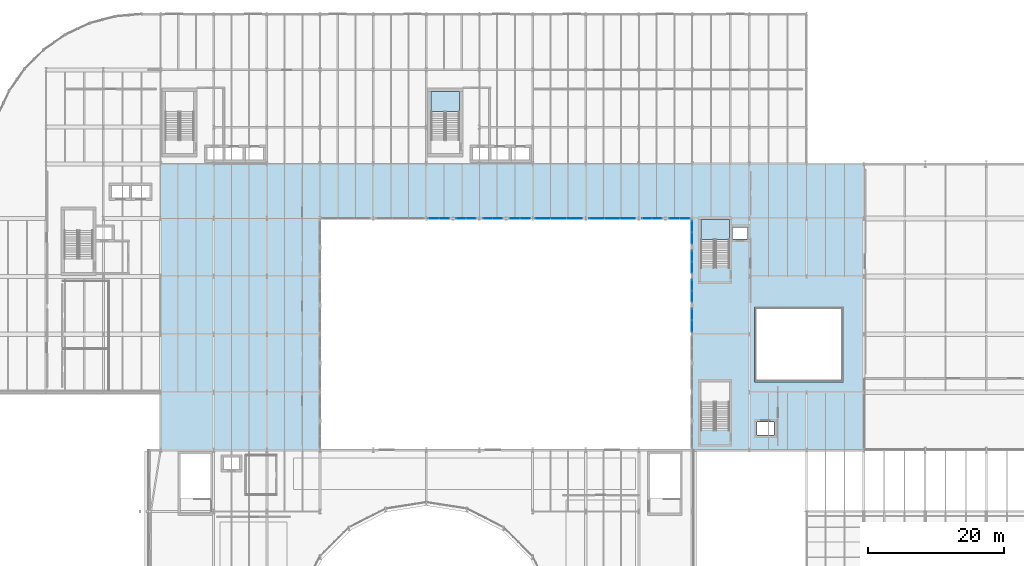
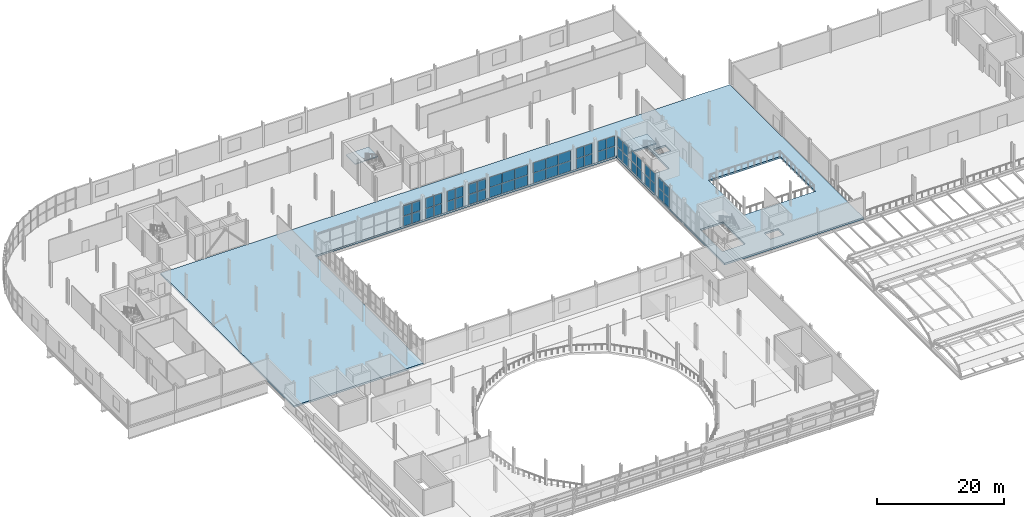
# One storey, part 39 of 63: 52 plates, 3 slabs, 14 elements without a shape of their own.
"""IFC4 building model written with IfcOpenShell, lengths in metres."""

from ifc_helpers import new_model, si_unit, direction, frame, origin, origin_2d, place, context, subcontext, project, spatial, polyline, rectangle, outline, extrude, material, layer, layer_set, type_object, element, aggregate, save


model = new_model("IFC4")

# Units and contexts
model_context = context("Model", 3, precision=1e-05, world=origin(), true_north=direction((0.0, 1.0)))
body_context = subcontext(model_context, "Body", "Model", "MODEL_VIEW")
ifc_project = project(units=[si_unit("LENGTHUNIT", "METRE"), si_unit("AREAUNIT", "SQUARE_METRE"), si_unit("VOLUMEUNIT", "CUBIC_METRE"), si_unit("PLANEANGLEUNIT", "RADIAN"), si_unit("MASSUNIT", "GRAM", prefix="KILO")], contexts=[model_context])

# Site, building, storey
site_placement = place(None, origin())
site = spatial("IfcSite", under=ifc_project, at=site_placement, CompositionType="ELEMENT")
building_placement = place(site_placement, origin())
building = spatial("IfcBuilding", under=site, at=building_placement, Name="Sefraquen Railside Congress Hotel", CompositionType="ELEMENT")
storey_placement = place(building_placement, frame((0.0, 0.0, 11.39990234375)))
storey = spatial("IfcBuildingStorey", under=building, at=storey_placement, Name="L02", CompositionType="ELEMENT", Elevation=11.39990234375)

# Curtain wall, plates
ifc_material_1 = material(Name="Thermally broken anodised aluminium and low-E double glazing", Category="aluminium")
ifc_layer_1 = layer(ifc_material_1, 0.199951171875)
ifc_layer_set_1 = layer_set([ifc_layer_1], Name="Thermally broken anodised aluminium and low-E double glazing")
curtain_wall_type_1 = type_object("IfcCurtainWallType", Name="TCW-UCW-26", PredefinedType="USERDEFINED", material=ifc_layer_set_1)
curtain_wall_1_placement = place(storey_placement, origin())
curtain_wall_1 = element("IfcCurtainWall", 1, at=curtain_wall_1_placement, inside=storey, type_object=curtain_wall_type_1, Name="Courtyard north gallery curtain wall L02-2", ObjectType="UNITISED CURTAIN WALL", PredefinedType="USERDEFINED")
ifc_material_2 = material(Name="Solar-control low-E double glazing", Category="glass")
ifc_layer_2 = layer(ifc_material_2, 0.02392578125)
ifc_layer_set_2 = layer_set([ifc_layer_2], Name="Solar-control low-E double glazing")
plate_type_1 = type_object("IfcPlateType", Name="TP-CWP-01", PredefinedType="CURTAIN_PANEL", material=ifc_layer_set_2)
plate_1_placement = place(storey_placement, frame((65.28759765625, 88.0, 0.0400390625), z_axis=(0.0, 0.0, 1.0), x_axis=(1.0, 0.0, 0.0)))
plate_1 = element("IfcPlate", 2, at=plate_1_placement, type_object=plate_type_1, Name="CW-L02-058 panel 1.1", PredefinedType="CURTAIN_PANEL", context=body_context, shape_type="SweptSolid", body=[
    extrude(rectangle(XDim=1.465087890625, YDim=0.02392578125, at=origin_2d()), origin(), (0.0, 0.0, 1.0), 1.9150390625),
])
plate_2_placement = place(storey_placement, frame((66.842529296875, 88.0, 0.0400390625), z_axis=(0.0, 0.0, 1.0), x_axis=(1.0, 0.0, 0.0)))
plate_2 = element("IfcPlate", 3, at=plate_2_placement, type_object=plate_type_1, Name="CW-L02-058 panel 1.2", PredefinedType="CURTAIN_PANEL", context=body_context, shape_type="SweptSolid", body=[
    extrude(rectangle(XDim=1.465087890625, YDim=0.02392578125, at=origin_2d()), origin(), (0.0, 0.0, 1.0), 1.9150390625),
])

curtain_wall_2_placement = place(storey_placement, origin())
curtain_wall_2 = element("IfcCurtainWall", 4, at=curtain_wall_2_placement, inside=storey, type_object=curtain_wall_type_1, Name="Courtyard north gallery curtain wall L02-2 bay 2", ObjectType="UNITISED CURTAIN WALL", PredefinedType="USERDEFINED")
plate_3_placement = place(storey_placement, frame((69.31494140625, 88.0, 0.0400390625), z_axis=(0.0, 0.0, 1.0), x_axis=(1.0, 0.0, 0.0)))
plate_3 = element("IfcPlate", 5, at=plate_3_placement, type_object=plate_type_1, Name="CW-L02-058-S2 panel 1.1", PredefinedType="CURTAIN_PANEL", context=body_context, shape_type="SweptSolid", body=[
    extrude(rectangle(XDim=1.3798828125, YDim=0.02392578125, at=origin_2d()), origin(), (0.0, 0.0, 1.0), 1.9150390625),
])
plate_4_placement = place(storey_placement, frame((70.784912109375, 88.0, 0.0400390625), z_axis=(0.0, 0.0, 1.0), x_axis=(1.0, 0.0, 0.0)))
plate_4 = element("IfcPlate", 6, at=plate_4_placement, type_object=plate_type_1, Name="CW-L02-058-S2 panel 1.2", PredefinedType="CURTAIN_PANEL", context=body_context, shape_type="SweptSolid", body=[
    extrude(rectangle(XDim=1.3798828125, YDim=0.02392578125, at=origin_2d()), origin(), (0.0, 0.0, 1.0), 1.9150390625),
])

curtain_wall_3_placement = place(storey_placement, origin())
curtain_wall_3 = element("IfcCurtainWall", 7, at=curtain_wall_3_placement, inside=storey, type_object=curtain_wall_type_1, Name="Courtyard north gallery curtain wall L02-2 bay 3", ObjectType="UNITISED CURTAIN WALL", PredefinedType="USERDEFINED")
plate_5_placement = place(storey_placement, frame((73.215087890625, 88.0, 0.0400390625), z_axis=(0.0, 0.0, 1.0), x_axis=(1.0, 0.0, 0.0)))
plate_5 = element("IfcPlate", 8, at=plate_5_placement, type_object=plate_type_1, Name="CW-L02-058-S3 panel 1.1", PredefinedType="CURTAIN_PANEL", context=body_context, shape_type="SweptSolid", body=[
    extrude(rectangle(XDim=1.3798828125, YDim=0.02392578125, at=origin_2d()), origin(), (0.0, 0.0, 1.0), 1.9150390625),
])
plate_6_placement = place(storey_placement, frame((74.68505859375, 88.0, 0.0400390625), z_axis=(0.0, 0.0, 1.0), x_axis=(1.0, 0.0, 0.0)))
plate_6 = element("IfcPlate", 9, at=plate_6_placement, type_object=plate_type_1, Name="CW-L02-058-S3 panel 1.2", PredefinedType="CURTAIN_PANEL", context=body_context, shape_type="SweptSolid", body=[
    extrude(rectangle(XDim=1.3798828125, YDim=0.02392578125, at=origin_2d()), origin(), (0.0, 0.0, 1.0), 1.9150390625),
])

curtain_wall_4_placement = place(storey_placement, origin())
curtain_wall_4 = element("IfcCurtainWall", 10, at=curtain_wall_4_placement, inside=storey, type_object=curtain_wall_type_1, Name="Courtyard north gallery curtain wall L02-2 bay 4", ObjectType="UNITISED CURTAIN WALL", PredefinedType="USERDEFINED")
plate_7_placement = place(storey_placement, frame((77.157470703125, 88.0, 0.0400390625), z_axis=(0.0, 0.0, 1.0), x_axis=(1.0, 0.0, 0.0)))
plate_7 = element("IfcPlate", 11, at=plate_7_placement, type_object=plate_type_1, Name="CW-L02-058-S4 panel 1.1", PredefinedType="CURTAIN_PANEL", context=body_context, shape_type="SweptSolid", body=[
    extrude(rectangle(XDim=1.465087890625, YDim=0.02392578125, at=origin_2d()), origin(), (0.0, 0.0, 1.0), 1.9150390625),
])
plate_8_placement = place(storey_placement, frame((78.71240234375, 88.0, 0.0400390625), z_axis=(0.0, 0.0, 1.0), x_axis=(1.0, 0.0, 0.0)))
plate_8 = element("IfcPlate", 12, at=plate_8_placement, type_object=plate_type_1, Name="CW-L02-058-S4 panel 1.2", PredefinedType="CURTAIN_PANEL", context=body_context, shape_type="SweptSolid", body=[
    extrude(rectangle(XDim=1.465087890625, YDim=0.02392578125, at=origin_2d()), origin(), (0.0, 0.0, 1.0), 1.9150390625),
])

ifc_layer_3 = layer(ifc_material_1, 0.199951171875)
ifc_layer_set_3 = layer_set([ifc_layer_3], Name="Thermally broken anodised aluminium and low-E double glazing")
curtain_wall_type_2 = type_object("IfcCurtainWallType", Name="TCW-UCW-27", PredefinedType="USERDEFINED", material=ifc_layer_set_3)
curtain_wall_5_placement = place(storey_placement, origin())
curtain_wall_5 = element("IfcCurtainWall", 13, at=curtain_wall_5_placement, inside=storey, type_object=curtain_wall_type_2, Name="Courtyard north gallery curtain wall L02-3", ObjectType="UNITISED CURTAIN WALL", PredefinedType="USERDEFINED")
plate_9_placement = place(storey_placement, frame((81.2783203125, 88.0, 0.0400390625), z_axis=(0.0, 0.0, 1.0), x_axis=(1.0, 0.0, 0.0)))
plate_9 = element("IfcPlate", 14, at=plate_9_placement, type_object=plate_type_1, Name="CW-L02-059 panel 1.1", PredefinedType="CURTAIN_PANEL", context=body_context, shape_type="SweptSolid", body=[
    extrude(rectangle(XDim=2.24658203125, YDim=0.02392578125, at=origin_2d()), origin(), (0.0, 0.0, 1.0), 1.9150390625),
])
plate_10_placement = place(storey_placement, frame((83.614990234375, 88.0, 0.0400390625), z_axis=(0.0, 0.0, 1.0), x_axis=(1.0, 0.0, 0.0)))
plate_10 = element("IfcPlate", 15, at=plate_10_placement, type_object=plate_type_1, Name="CW-L02-059 panel 1.2", PredefinedType="CURTAIN_PANEL", context=body_context, shape_type="SweptSolid", body=[
    extrude(rectangle(XDim=2.24658203125, YDim=0.02392578125, at=origin_2d()), origin(), (0.0, 0.0, 1.0), 1.9150390625),
])
plate_11_placement = place(storey_placement, frame((85.95166015625, 88.0, 0.0400390625), z_axis=(0.0, 0.0, 1.0), x_axis=(1.0, 0.0, 0.0)))
plate_11 = element("IfcPlate", 16, at=plate_11_placement, type_object=plate_type_1, Name="CW-L02-059 panel 1.3", PredefinedType="CURTAIN_PANEL", context=body_context, shape_type="SweptSolid", body=[
    extrude(rectangle(XDim=2.24658203125, YDim=0.02392578125, at=origin_2d()), origin(), (0.0, 0.0, 1.0), 1.9150390625),
])

curtain_wall_6_placement = place(storey_placement, origin())
curtain_wall_6 = element("IfcCurtainWall", 17, at=curtain_wall_6_placement, inside=storey, type_object=curtain_wall_type_2, Name="Courtyard north gallery curtain wall L02-3 bay 2", ObjectType="UNITISED CURTAIN WALL", PredefinedType="USERDEFINED")
plate_12_placement = place(storey_placement, frame((89.219970703125, 88.0, 0.0400390625), z_axis=(0.0, 0.0, 1.0), x_axis=(1.0, 0.0, 0.0)))
plate_12 = element("IfcPlate", 18, at=plate_12_placement, type_object=plate_type_1, Name="CW-L02-059-S2 panel 1.1", PredefinedType="CURTAIN_PANEL", context=body_context, shape_type="SweptSolid", body=[
    extrude(rectangle(XDim=2.18994140625, YDim=0.02392578125, at=origin_2d()), origin(), (0.0, 0.0, 1.0), 1.9150390625),
])
plate_13_placement = place(storey_placement, frame((91.5, 88.0, 0.0400390625), z_axis=(0.0, 0.0, 1.0), x_axis=(1.0, 0.0, 0.0)))
plate_13 = element("IfcPlate", 19, at=plate_13_placement, type_object=plate_type_1, Name="CW-L02-059-S2 panel 1.2", PredefinedType="CURTAIN_PANEL", context=body_context, shape_type="SweptSolid", body=[
    extrude(rectangle(XDim=2.18994140625, YDim=0.02392578125, at=origin_2d()), origin(), (0.0, 0.0, 1.0), 1.9150390625),
])
plate_14_placement = place(storey_placement, frame((93.780029296875, 88.0, 0.0400390625), z_axis=(0.0, 0.0, 1.0), x_axis=(1.0, 0.0, 0.0)))
plate_14 = element("IfcPlate", 20, at=plate_14_placement, type_object=plate_type_1, Name="CW-L02-059-S2 panel 1.3", PredefinedType="CURTAIN_PANEL", context=body_context, shape_type="SweptSolid", body=[
    extrude(rectangle(XDim=2.18994140625, YDim=0.02392578125, at=origin_2d()), origin(), (0.0, 0.0, 1.0), 1.9150390625),
])

curtain_wall_7_placement = place(storey_placement, origin())
curtain_wall_7 = element("IfcCurtainWall", 21, at=curtain_wall_7_placement, inside=storey, type_object=curtain_wall_type_2, Name="Courtyard north gallery curtain wall L02-3 bay 3", ObjectType="UNITISED CURTAIN WALL", PredefinedType="USERDEFINED")
plate_15_placement = place(storey_placement, frame((96.614990234375, 88.0, 0.0400390625), z_axis=(0.0, 0.0, 1.0), x_axis=(1.0, 0.0, 0.0)))
plate_15 = element("IfcPlate", 22, at=plate_15_placement, type_object=plate_type_1, Name="CW-L02-059-S3 panel 1.1", PredefinedType="CURTAIN_PANEL", context=body_context, shape_type="SweptSolid", body=[
    extrude(rectangle(XDim=1.3798828125, YDim=0.02392578125, at=origin_2d()), origin(), (0.0, 0.0, 1.0), 1.9150390625),
])
plate_16_placement = place(storey_placement, frame((98.0849609375, 88.0, 0.0400390625), z_axis=(0.0, 0.0, 1.0), x_axis=(1.0, 0.0, 0.0)))
plate_16 = element("IfcPlate", 23, at=plate_16_placement, type_object=plate_type_1, Name="CW-L02-059-S3 panel 1.2", PredefinedType="CURTAIN_PANEL", context=body_context, shape_type="SweptSolid", body=[
    extrude(rectangle(XDim=1.3798828125, YDim=0.02392578125, at=origin_2d()), origin(), (0.0, 0.0, 1.0), 1.9150390625),
])

curtain_wall_8_placement = place(storey_placement, origin())
curtain_wall_8 = element("IfcCurtainWall", 24, at=curtain_wall_8_placement, inside=storey, type_object=curtain_wall_type_2, Name="Courtyard north gallery curtain wall L02-3 bay 4", ObjectType="UNITISED CURTAIN WALL", PredefinedType="USERDEFINED")
plate_17_placement = place(storey_placement, frame((100.5576171875, 88.0, 0.0400390625), z_axis=(0.0, 0.0, 1.0), x_axis=(1.0, 0.0, 0.0)))
plate_17 = element("IfcPlate", 25, at=plate_17_placement, type_object=plate_type_1, Name="CW-L02-059-S4 panel 1.1", PredefinedType="CURTAIN_PANEL", context=body_context, shape_type="SweptSolid", body=[
    extrude(rectangle(XDim=1.465087890625, YDim=0.02392578125, at=origin_2d()), origin(), (0.0, 0.0, 1.0), 1.9150390625),
])
plate_18_placement = place(storey_placement, frame((102.112548828125, 88.0, 0.0400390625), z_axis=(0.0, 0.0, 1.0), x_axis=(1.0, 0.0, 0.0)))
plate_18 = element("IfcPlate", 26, at=plate_18_placement, type_object=plate_type_1, Name="CW-L02-059-S4 panel 1.2", PredefinedType="CURTAIN_PANEL", context=body_context, shape_type="SweptSolid", body=[
    extrude(rectangle(XDim=1.465087890625, YDim=0.02392578125, at=origin_2d()), origin(), (0.0, 0.0, 1.0), 1.9150390625),
])

ifc_layer_4 = layer(ifc_material_1, 0.199951171875)
ifc_layer_set_4 = layer_set([ifc_layer_4], Name="Thermally broken anodised aluminium and low-E double glazing")
curtain_wall_type_3 = type_object("IfcCurtainWallType", Name="TCW-UCW-31", PredefinedType="USERDEFINED", material=ifc_layer_set_4)
curtain_wall_9_placement = place(storey_placement, origin())
curtain_wall_9 = element("IfcCurtainWall", 27, at=curtain_wall_9_placement, inside=storey, type_object=curtain_wall_type_3, Name="Courtyard east gallery curtain wall L02", ObjectType="UNITISED CURTAIN WALL", PredefinedType="USERDEFINED")
plate_19_placement = place(storey_placement, frame((103.199951171875, 72.175048828125, 0.0400390625), z_axis=(0.0, 0.0, 1.0), x_axis=(0.0, 1.0, 0.0)))
plate_19 = element("IfcPlate", 28, at=plate_19_placement, type_object=plate_type_1, Name="CW-L02-063 panel 1.1", PredefinedType="CURTAIN_PANEL", context=body_context, shape_type="SweptSolid", body=[
    extrude(rectangle(XDim=1.639892578125, YDim=0.02392578125, at=origin_2d()), origin(), (0.0, 0.0, 1.0), 1.9150390625),
])
plate_20_placement = place(storey_placement, frame((103.199951171875, 73.905029296875, 0.0400390625), z_axis=(0.0, 0.0, 1.0), x_axis=(0.0, 1.0, 0.0)))
plate_20 = element("IfcPlate", 29, at=plate_20_placement, type_object=plate_type_1, Name="CW-L02-063 panel 1.2", PredefinedType="CURTAIN_PANEL", context=body_context, shape_type="SweptSolid", body=[
    extrude(rectangle(XDim=1.639892578125, YDim=0.02392578125, at=origin_2d()), origin(), (0.0, 0.0, 1.0), 1.9150390625),
])

curtain_wall_10_placement = place(storey_placement, origin())
curtain_wall_10 = element("IfcCurtainWall", 30, at=curtain_wall_10_placement, inside=storey, type_object=curtain_wall_type_3, Name="Courtyard east gallery curtain wall L02 bay 2", ObjectType="UNITISED CURTAIN WALL", PredefinedType="USERDEFINED")
plate_21_placement = place(storey_placement, frame((103.199951171875, 76.552490234375, 0.0400390625), z_axis=(0.0, 0.0, 1.0), x_axis=(0.0, 1.0, 0.0)))
plate_21 = element("IfcPlate", 31, at=plate_21_placement, type_object=plate_type_1, Name="CW-L02-063-S2 panel 1.1", PredefinedType="CURTAIN_PANEL", context=body_context, shape_type="SweptSolid", body=[
    extrude(rectangle(XDim=1.554931640625, YDim=0.02392578125, at=origin_2d()), origin(), (0.0, 0.0, 1.0), 1.9150390625),
])
plate_22_placement = place(storey_placement, frame((103.199951171875, 78.197509765625, 0.0400390625), z_axis=(0.0, 0.0, 1.0), x_axis=(0.0, 1.0, 0.0)))
plate_22 = element("IfcPlate", 32, at=plate_22_placement, type_object=plate_type_1, Name="CW-L02-063-S2 panel 1.2", PredefinedType="CURTAIN_PANEL", context=body_context, shape_type="SweptSolid", body=[
    extrude(rectangle(XDim=1.554931640625, YDim=0.02392578125, at=origin_2d()), origin(), (0.0, 0.0, 1.0), 1.9150390625),
])

curtain_wall_11_placement = place(storey_placement, origin())
curtain_wall_11 = element("IfcCurtainWall", 33, at=curtain_wall_11_placement, inside=storey, type_object=curtain_wall_type_3, Name="Courtyard east gallery curtain wall L02 bay 3", ObjectType="UNITISED CURTAIN WALL", PredefinedType="USERDEFINED")
plate_23_placement = place(storey_placement, frame((103.199951171875, 80.802490234375, 0.0400390625), z_axis=(0.0, 0.0, 1.0), x_axis=(0.0, 1.0, 0.0)))
plate_23 = element("IfcPlate", 34, at=plate_23_placement, type_object=plate_type_1, Name="CW-L02-063-S3 panel 1.1", PredefinedType="CURTAIN_PANEL", context=body_context, shape_type="SweptSolid", body=[
    extrude(rectangle(XDim=1.554931640625, YDim=0.02392578125, at=origin_2d()), origin(), (0.0, 0.0, 1.0), 1.9150390625),
])
plate_24_placement = place(storey_placement, frame((103.199951171875, 82.447509765625, 0.0400390625), z_axis=(0.0, 0.0, 1.0), x_axis=(0.0, 1.0, 0.0)))
plate_24 = element("IfcPlate", 35, at=plate_24_placement, type_object=plate_type_1, Name="CW-L02-063-S3 panel 1.2", PredefinedType="CURTAIN_PANEL", context=body_context, shape_type="SweptSolid", body=[
    extrude(rectangle(XDim=1.554931640625, YDim=0.02392578125, at=origin_2d()), origin(), (0.0, 0.0, 1.0), 1.9150390625),
])

curtain_wall_12_placement = place(storey_placement, origin())
curtain_wall_12 = element("IfcCurtainWall", 36, at=curtain_wall_12_placement, inside=storey, type_object=curtain_wall_type_3, Name="Courtyard east gallery curtain wall L02 bay 4", ObjectType="UNITISED CURTAIN WALL", PredefinedType="USERDEFINED")
plate_25_placement = place(storey_placement, frame((103.199951171875, 85.094970703125, 0.0400390625), z_axis=(0.0, 0.0, 1.0), x_axis=(0.0, 1.0, 0.0)))
plate_25 = element("IfcPlate", 37, at=plate_25_placement, type_object=plate_type_1, Name="CW-L02-063-S4 panel 1.1", PredefinedType="CURTAIN_PANEL", context=body_context, shape_type="SweptSolid", body=[
    extrude(rectangle(XDim=1.639892578125, YDim=0.02392578125, at=origin_2d()), origin(), (0.0, 0.0, 1.0), 1.9150390625),
])
plate_26_placement = place(storey_placement, frame((103.199951171875, 86.824951171875, 0.0400390625), z_axis=(0.0, 0.0, 1.0), x_axis=(0.0, 1.0, 0.0)))
plate_26 = element("IfcPlate", 38, at=plate_26_placement, type_object=plate_type_1, Name="CW-L02-063-S4 panel 1.2", PredefinedType="CURTAIN_PANEL", context=body_context, shape_type="SweptSolid", body=[
    extrude(rectangle(XDim=1.639892578125, YDim=0.02392578125, at=origin_2d()), origin(), (0.0, 0.0, 1.0), 1.9150390625),
])

# Plate
ifc_material_3 = material(Name="Triple acoustic solar-control glazing", Category="glass")
ifc_layer_5 = layer(ifc_material_3, 0.031982421875)
ifc_layer_set_5 = layer_set([ifc_layer_5], Name="Triple acoustic solar-control glazing")
plate_type_2 = type_object("IfcPlateType", Name="TP-CWP-02", PredefinedType="CURTAIN_PANEL", material=ifc_layer_set_5)
plate_27_placement = place(storey_placement, frame((65.28759765625, 88.0, 2.03515625), z_axis=(0.0, 0.0, 1.0), x_axis=(1.0, 0.0, 0.0)))
plate_27 = element("IfcPlate", 39, at=plate_27_placement, type_object=plate_type_2, Name="CW-L02-058 panel 2.1", PredefinedType="CURTAIN_PANEL", context=body_context, shape_type="SweptSolid", body=[
    extrude(rectangle(XDim=1.465087890625, YDim=0.031982421875, at=origin_2d()), origin(), (0.0, 0.0, 1.0), 1.9150390625),
])

plate_28_placement = place(storey_placement, frame((66.842529296875, 88.0, 2.03515625), z_axis=(0.0, 0.0, 1.0), x_axis=(1.0, 0.0, 0.0)))
plate_28 = element("IfcPlate", 40, at=plate_28_placement, type_object=plate_type_2, Name="CW-L02-058 panel 2.2", PredefinedType="CURTAIN_PANEL", context=body_context, shape_type="SweptSolid", body=[
    extrude(rectangle(XDim=1.465087890625, YDim=0.031982421875, at=origin_2d()), origin(), (0.0, 0.0, 1.0), 1.9150390625),
])

aggregate(curtain_wall_1, [plate_1, plate_2, plate_27, plate_28])

plate_29_placement = place(storey_placement, frame((69.31494140625, 88.0, 2.03515625), z_axis=(0.0, 0.0, 1.0), x_axis=(1.0, 0.0, 0.0)))
plate_29 = element("IfcPlate", 41, at=plate_29_placement, type_object=plate_type_2, Name="CW-L02-058-S2 panel 2.1", PredefinedType="CURTAIN_PANEL", context=body_context, shape_type="SweptSolid", body=[
    extrude(rectangle(XDim=1.3798828125, YDim=0.031982421875, at=origin_2d()), origin(), (0.0, 0.0, 1.0), 1.9150390625),
])

plate_30_placement = place(storey_placement, frame((70.784912109375, 88.0, 2.03515625), z_axis=(0.0, 0.0, 1.0), x_axis=(1.0, 0.0, 0.0)))
plate_30 = element("IfcPlate", 42, at=plate_30_placement, type_object=plate_type_2, Name="CW-L02-058-S2 panel 2.2", PredefinedType="CURTAIN_PANEL", context=body_context, shape_type="SweptSolid", body=[
    extrude(rectangle(XDim=1.3798828125, YDim=0.031982421875, at=origin_2d()), origin(), (0.0, 0.0, 1.0), 1.9150390625),
])

aggregate(curtain_wall_2, [plate_3, plate_4, plate_29, plate_30])

plate_31_placement = place(storey_placement, frame((73.215087890625, 88.0, 2.03515625), z_axis=(0.0, 0.0, 1.0), x_axis=(1.0, 0.0, 0.0)))
plate_31 = element("IfcPlate", 43, at=plate_31_placement, type_object=plate_type_2, Name="CW-L02-058-S3 panel 2.1", PredefinedType="CURTAIN_PANEL", context=body_context, shape_type="SweptSolid", body=[
    extrude(rectangle(XDim=1.3798828125, YDim=0.031982421875, at=origin_2d()), origin(), (0.0, 0.0, 1.0), 1.9150390625),
])

plate_32_placement = place(storey_placement, frame((74.68505859375, 88.0, 2.03515625), z_axis=(0.0, 0.0, 1.0), x_axis=(1.0, 0.0, 0.0)))
plate_32 = element("IfcPlate", 44, at=plate_32_placement, type_object=plate_type_2, Name="CW-L02-058-S3 panel 2.2", PredefinedType="CURTAIN_PANEL", context=body_context, shape_type="SweptSolid", body=[
    extrude(rectangle(XDim=1.3798828125, YDim=0.031982421875, at=origin_2d()), origin(), (0.0, 0.0, 1.0), 1.9150390625),
])

aggregate(curtain_wall_3, [plate_5, plate_6, plate_31, plate_32])

plate_33_placement = place(storey_placement, frame((77.157470703125, 88.0, 2.03515625), z_axis=(0.0, 0.0, 1.0), x_axis=(1.0, 0.0, 0.0)))
plate_33 = element("IfcPlate", 45, at=plate_33_placement, type_object=plate_type_2, Name="CW-L02-058-S4 panel 2.1", PredefinedType="CURTAIN_PANEL", context=body_context, shape_type="SweptSolid", body=[
    extrude(rectangle(XDim=1.465087890625, YDim=0.031982421875, at=origin_2d()), origin(), (0.0, 0.0, 1.0), 1.9150390625),
])

plate_34_placement = place(storey_placement, frame((78.71240234375, 88.0, 2.03515625), z_axis=(0.0, 0.0, 1.0), x_axis=(1.0, 0.0, 0.0)))
plate_34 = element("IfcPlate", 46, at=plate_34_placement, type_object=plate_type_2, Name="CW-L02-058-S4 panel 2.2", PredefinedType="CURTAIN_PANEL", context=body_context, shape_type="SweptSolid", body=[
    extrude(rectangle(XDim=1.465087890625, YDim=0.031982421875, at=origin_2d()), origin(), (0.0, 0.0, 1.0), 1.9150390625),
])

aggregate(curtain_wall_4, [plate_7, plate_8, plate_33, plate_34])

plate_35_placement = place(storey_placement, frame((81.2783203125, 88.0, 2.03515625), z_axis=(0.0, 0.0, 1.0), x_axis=(1.0, 0.0, 0.0)))
plate_35 = element("IfcPlate", 47, at=plate_35_placement, type_object=plate_type_2, Name="CW-L02-059 panel 2.1", PredefinedType="CURTAIN_PANEL", context=body_context, shape_type="SweptSolid", body=[
    extrude(rectangle(XDim=2.24658203125, YDim=0.031982421875, at=origin_2d()), origin(), (0.0, 0.0, 1.0), 1.9150390625),
])

plate_36_placement = place(storey_placement, frame((83.614990234375, 88.0, 2.03515625), z_axis=(0.0, 0.0, 1.0), x_axis=(1.0, 0.0, 0.0)))
plate_36 = element("IfcPlate", 48, at=plate_36_placement, type_object=plate_type_2, Name="CW-L02-059 panel 2.2", PredefinedType="CURTAIN_PANEL", context=body_context, shape_type="SweptSolid", body=[
    extrude(rectangle(XDim=2.24658203125, YDim=0.031982421875, at=origin_2d()), origin(), (0.0, 0.0, 1.0), 1.9150390625),
])

plate_37_placement = place(storey_placement, frame((85.95166015625, 88.0, 2.03515625), z_axis=(0.0, 0.0, 1.0), x_axis=(1.0, 0.0, 0.0)))
plate_37 = element("IfcPlate", 49, at=plate_37_placement, type_object=plate_type_2, Name="CW-L02-059 panel 2.3", PredefinedType="CURTAIN_PANEL", context=body_context, shape_type="SweptSolid", body=[
    extrude(rectangle(XDim=2.24658203125, YDim=0.031982421875, at=origin_2d()), origin(), (0.0, 0.0, 1.0), 1.9150390625),
])

aggregate(curtain_wall_5, [plate_9, plate_10, plate_11, plate_35, plate_36, plate_37])

plate_38_placement = place(storey_placement, frame((89.219970703125, 88.0, 2.03515625), z_axis=(0.0, 0.0, 1.0), x_axis=(1.0, 0.0, 0.0)))
plate_38 = element("IfcPlate", 50, at=plate_38_placement, type_object=plate_type_2, Name="CW-L02-059-S2 panel 2.1", PredefinedType="CURTAIN_PANEL", context=body_context, shape_type="SweptSolid", body=[
    extrude(rectangle(XDim=2.18994140625, YDim=0.031982421875, at=origin_2d()), origin(), (0.0, 0.0, 1.0), 1.9150390625),
])

plate_39_placement = place(storey_placement, frame((91.5, 88.0, 2.03515625), z_axis=(0.0, 0.0, 1.0), x_axis=(1.0, 0.0, 0.0)))
plate_39 = element("IfcPlate", 51, at=plate_39_placement, type_object=plate_type_2, Name="CW-L02-059-S2 panel 2.2", PredefinedType="CURTAIN_PANEL", context=body_context, shape_type="SweptSolid", body=[
    extrude(rectangle(XDim=2.18994140625, YDim=0.031982421875, at=origin_2d()), origin(), (0.0, 0.0, 1.0), 1.9150390625),
])

plate_40_placement = place(storey_placement, frame((93.780029296875, 88.0, 2.03515625), z_axis=(0.0, 0.0, 1.0), x_axis=(1.0, 0.0, 0.0)))
plate_40 = element("IfcPlate", 52, at=plate_40_placement, type_object=plate_type_2, Name="CW-L02-059-S2 panel 2.3", PredefinedType="CURTAIN_PANEL", context=body_context, shape_type="SweptSolid", body=[
    extrude(rectangle(XDim=2.18994140625, YDim=0.031982421875, at=origin_2d()), origin(), (0.0, 0.0, 1.0), 1.9150390625),
])

aggregate(curtain_wall_6, [plate_12, plate_13, plate_14, plate_38, plate_39, plate_40])

plate_41_placement = place(storey_placement, frame((96.614990234375, 88.0, 2.03515625), z_axis=(0.0, 0.0, 1.0), x_axis=(1.0, 0.0, 0.0)))
plate_41 = element("IfcPlate", 53, at=plate_41_placement, type_object=plate_type_2, Name="CW-L02-059-S3 panel 2.1", PredefinedType="CURTAIN_PANEL", context=body_context, shape_type="SweptSolid", body=[
    extrude(rectangle(XDim=1.3798828125, YDim=0.031982421875, at=origin_2d()), origin(), (0.0, 0.0, 1.0), 1.9150390625),
])

plate_42_placement = place(storey_placement, frame((98.0849609375, 88.0, 2.03515625), z_axis=(0.0, 0.0, 1.0), x_axis=(1.0, 0.0, 0.0)))
plate_42 = element("IfcPlate", 54, at=plate_42_placement, type_object=plate_type_2, Name="CW-L02-059-S3 panel 2.2", PredefinedType="CURTAIN_PANEL", context=body_context, shape_type="SweptSolid", body=[
    extrude(rectangle(XDim=1.3798828125, YDim=0.031982421875, at=origin_2d()), origin(), (0.0, 0.0, 1.0), 1.9150390625),
])

aggregate(curtain_wall_7, [plate_15, plate_16, plate_41, plate_42])

plate_43_placement = place(storey_placement, frame((100.5576171875, 88.0, 2.03515625), z_axis=(0.0, 0.0, 1.0), x_axis=(1.0, 0.0, 0.0)))
plate_43 = element("IfcPlate", 55, at=plate_43_placement, type_object=plate_type_2, Name="CW-L02-059-S4 panel 2.1", PredefinedType="CURTAIN_PANEL", context=body_context, shape_type="SweptSolid", body=[
    extrude(rectangle(XDim=1.465087890625, YDim=0.031982421875, at=origin_2d()), origin(), (0.0, 0.0, 1.0), 1.9150390625),
])

plate_44_placement = place(storey_placement, frame((102.112548828125, 88.0, 2.03515625), z_axis=(0.0, 0.0, 1.0), x_axis=(1.0, 0.0, 0.0)))
plate_44 = element("IfcPlate", 56, at=plate_44_placement, type_object=plate_type_2, Name="CW-L02-059-S4 panel 2.2", PredefinedType="CURTAIN_PANEL", context=body_context, shape_type="SweptSolid", body=[
    extrude(rectangle(XDim=1.465087890625, YDim=0.031982421875, at=origin_2d()), origin(), (0.0, 0.0, 1.0), 1.9150390625),
])

aggregate(curtain_wall_8, [plate_17, plate_18, plate_43, plate_44])

plate_45_placement = place(storey_placement, frame((103.199951171875, 72.175048828125, 2.03515625), z_axis=(0.0, 0.0, 1.0), x_axis=(0.0, 1.0, 0.0)))
plate_45 = element("IfcPlate", 57, at=plate_45_placement, type_object=plate_type_2, Name="CW-L02-063 panel 2.1", PredefinedType="CURTAIN_PANEL", context=body_context, shape_type="SweptSolid", body=[
    extrude(rectangle(XDim=1.639892578125, YDim=0.031982421875, at=origin_2d()), origin(), (0.0, 0.0, 1.0), 1.9150390625),
])

plate_46_placement = place(storey_placement, frame((103.199951171875, 73.905029296875, 2.03515625), z_axis=(0.0, 0.0, 1.0), x_axis=(0.0, 1.0, 0.0)))
plate_46 = element("IfcPlate", 58, at=plate_46_placement, type_object=plate_type_2, Name="CW-L02-063 panel 2.2", PredefinedType="CURTAIN_PANEL", context=body_context, shape_type="SweptSolid", body=[
    extrude(rectangle(XDim=1.639892578125, YDim=0.031982421875, at=origin_2d()), origin(), (0.0, 0.0, 1.0), 1.9150390625),
])

aggregate(curtain_wall_9, [plate_19, plate_20, plate_45, plate_46])

plate_47_placement = place(storey_placement, frame((103.199951171875, 76.552490234375, 2.03515625), z_axis=(0.0, 0.0, 1.0), x_axis=(0.0, 1.0, 0.0)))
plate_47 = element("IfcPlate", 59, at=plate_47_placement, type_object=plate_type_2, Name="CW-L02-063-S2 panel 2.1", PredefinedType="CURTAIN_PANEL", context=body_context, shape_type="SweptSolid", body=[
    extrude(rectangle(XDim=1.554931640625, YDim=0.031982421875, at=origin_2d()), origin(), (0.0, 0.0, 1.0), 1.9150390625),
])

plate_48_placement = place(storey_placement, frame((103.199951171875, 78.197509765625, 2.03515625), z_axis=(0.0, 0.0, 1.0), x_axis=(0.0, 1.0, 0.0)))
plate_48 = element("IfcPlate", 60, at=plate_48_placement, type_object=plate_type_2, Name="CW-L02-063-S2 panel 2.2", PredefinedType="CURTAIN_PANEL", context=body_context, shape_type="SweptSolid", body=[
    extrude(rectangle(XDim=1.554931640625, YDim=0.031982421875, at=origin_2d()), origin(), (0.0, 0.0, 1.0), 1.9150390625),
])

aggregate(curtain_wall_10, [plate_21, plate_22, plate_47, plate_48])

plate_49_placement = place(storey_placement, frame((103.199951171875, 80.802490234375, 2.03515625), z_axis=(0.0, 0.0, 1.0), x_axis=(0.0, 1.0, 0.0)))
plate_49 = element("IfcPlate", 61, at=plate_49_placement, type_object=plate_type_2, Name="CW-L02-063-S3 panel 2.1", PredefinedType="CURTAIN_PANEL", context=body_context, shape_type="SweptSolid", body=[
    extrude(rectangle(XDim=1.554931640625, YDim=0.031982421875, at=origin_2d()), origin(), (0.0, 0.0, 1.0), 1.9150390625),
])

plate_50_placement = place(storey_placement, frame((103.199951171875, 82.447509765625, 2.03515625), z_axis=(0.0, 0.0, 1.0), x_axis=(0.0, 1.0, 0.0)))
plate_50 = element("IfcPlate", 62, at=plate_50_placement, type_object=plate_type_2, Name="CW-L02-063-S3 panel 2.2", PredefinedType="CURTAIN_PANEL", context=body_context, shape_type="SweptSolid", body=[
    extrude(rectangle(XDim=1.554931640625, YDim=0.031982421875, at=origin_2d()), origin(), (0.0, 0.0, 1.0), 1.9150390625),
])

aggregate(curtain_wall_11, [plate_23, plate_24, plate_49, plate_50])

plate_51_placement = place(storey_placement, frame((103.199951171875, 85.094970703125, 2.03515625), z_axis=(0.0, 0.0, 1.0), x_axis=(0.0, 1.0, 0.0)))
plate_51 = element("IfcPlate", 63, at=plate_51_placement, type_object=plate_type_2, Name="CW-L02-063-S4 panel 2.1", PredefinedType="CURTAIN_PANEL", context=body_context, shape_type="SweptSolid", body=[
    extrude(rectangle(XDim=1.639892578125, YDim=0.031982421875, at=origin_2d()), origin(), (0.0, 0.0, 1.0), 1.9150390625),
])

plate_52_placement = place(storey_placement, frame((103.199951171875, 86.824951171875, 2.03515625), z_axis=(0.0, 0.0, 1.0), x_axis=(0.0, 1.0, 0.0)))
plate_52 = element("IfcPlate", 64, at=plate_52_placement, type_object=plate_type_2, Name="CW-L02-063-S4 panel 2.2", PredefinedType="CURTAIN_PANEL", context=body_context, shape_type="SweptSolid", body=[
    extrude(rectangle(XDim=1.639892578125, YDim=0.031982421875, at=origin_2d()), origin(), (0.0, 0.0, 1.0), 1.9150390625),
])

aggregate(curtain_wall_12, [plate_25, plate_26, plate_51, plate_52])

# Slab
ifc_material_4 = material(Name="Concrete C40/50", Category="concrete")
ifc_layer_6 = layer(ifc_material_4, 0.35009765625)
ifc_layer_set_6 = layer_set([ifc_layer_6], Name="Concrete C40/50")
slab_type_1 = type_object("IfcSlabType", Name="TS-FS-350", PredefinedType="FLOOR", material=ifc_layer_set_6)
slab_1_placement = place(storey_placement, frame((0.0, 0.0, -0.349853515625)))
element("IfcSlab", 65, at=slab_1_placement, inside=storey, type_object=slab_type_1, Name="Meeting Wing L02 seminar floor slab", PredefinedType="FLOOR", context=body_context, shape_type="SweptSolid", body=[
    extrude(outline(polyline([(25.199951171875, 54.050048828125), (48.60009765625, 54.050048828125), (48.60009765625, 88.0), (103.199951171875, 88.0), (103.199951171875, 54.050048828125), (128.35009765625, 54.050048828125), (128.35009765625, 96.0), (25.199951171875, 96.0), (25.199951171875, 54.050048828125)]), holes=[polyline([(104.5, 80.8701171875), (108.659912109375, 80.8701171875), (108.659912109375, 87.862060546875), (104.5, 87.862060546875), (104.5, 80.8701171875)]), polyline([(104.5, 57.02001953125), (108.659912109375, 57.02001953125), (108.659912109375, 64.011962890625), (104.5, 64.011962890625), (104.5, 57.02001953125)]), polyline([(109.1298828125, 85.0), (111.330078125, 85.0), (111.330078125, 86.699951171875), (109.1298828125, 86.699951171875), (109.1298828125, 85.0)]), polyline([(112.75, 56.219970703125), (115.25, 56.219970703125), (115.25, 58.1201171875), (112.75, 58.1201171875), (112.75, 56.219970703125)]), polyline([(112.39990234375, 64.0), (125.39990234375, 64.0), (125.39990234375, 75.0), (112.39990234375, 75.0), (112.39990234375, 64.0)])]), origin(), (0.0, 0.0, 1.0), 0.349853515625),
])

# Stair, slab
stair_type_1 = type_object("IfcStairType", Name="TST-DOG-198-450", PredefinedType="HALF_TURN_STAIR", material=ifc_material_4)
stair_1_placement = place(storey_placement, origin())
stair_1 = element("IfcStair", 66, at=stair_1_placement, inside=storey, type_object=stair_type_1, Name="L02 Pressurized escape stair ST-H03", PredefinedType="HALF_TURN_STAIR")
ifc_layer_7 = layer(ifc_material_4, 0.199951171875)
ifc_layer_set_7 = layer_set([ifc_layer_7], Name="Concrete C40/50")
slab_type_2 = type_object("IfcSlabType", Name="TS-LD-200", PredefinedType="LANDING", material=ifc_layer_set_7)
slab_2_placement = place(storey_placement, frame((0.0, 0.0, 2.2001953125)))
slab_2 = element("IfcSlab", 67, at=slab_2_placement, type_object=slab_type_2, Name="ST-H03 landing 1", PredefinedType="LANDING", context=body_context, shape_type="SweptSolid", body=[
    extrude(outline(polyline([(69.06005859375, 103.666015625), (69.06005859375, 106.612060546875), (64.89990234375, 106.612060546875), (64.89990234375, 103.666015625), (69.06005859375, 103.666015625)])), origin(), (0.0, 0.0, 1.0), 0.199951171875),
])
aggregate(stair_1, [slab_2])

stair_type_2 = type_object("IfcStairType", Name="TST-DOG-198-480", PredefinedType="HALF_TURN_STAIR", material=ifc_material_4)
stair_2_placement = place(storey_placement, origin())
stair_2 = element("IfcStair", 68, at=stair_2_placement, inside=storey, type_object=stair_type_2, Name="L02 Pressurized escape stair ST-M01", PredefinedType="HALF_TURN_STAIR")
slab_3_placement = place(storey_placement, frame((0.0, 0.0, 2.2001953125)))
slab_3 = element("IfcSlab", 69, at=slab_3_placement, type_object=slab_type_2, Name="ST-M01 landing 1", PredefinedType="LANDING", context=body_context, shape_type="SweptSolid", body=[
    extrude(outline(polyline([(108.659912109375, 84.916015625), (108.659912109375, 87.862060546875), (104.5, 87.862060546875), (104.5, 84.916015625), (108.659912109375, 84.916015625)])), origin(), (0.0, 0.0, 1.0), 0.199951171875),
])
aggregate(stair_2, [slab_3])

save(model, "model.ifc")
